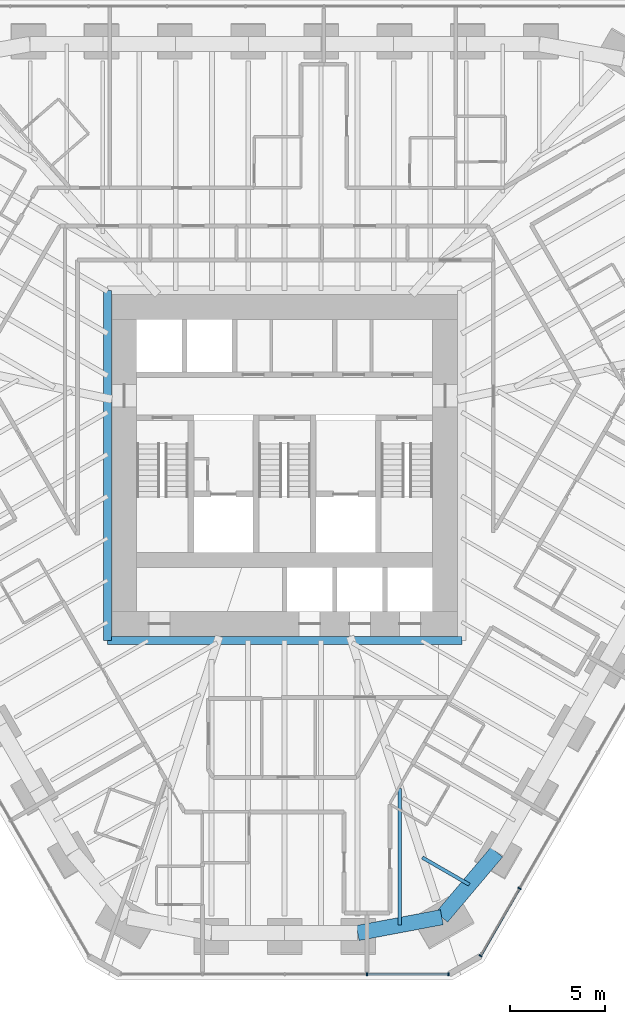
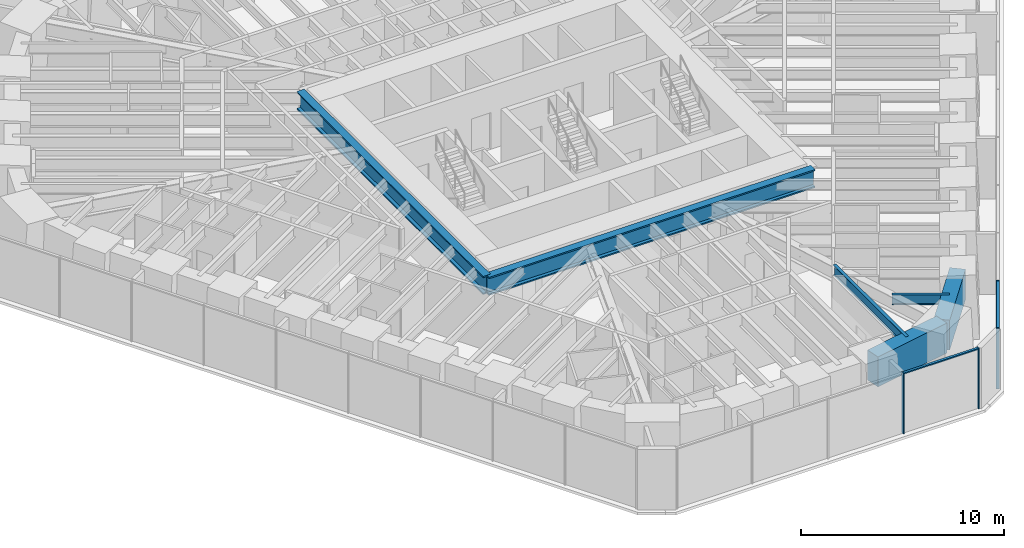
# One storey, part 4 of 17: 6 beams, 6 members, 2 elements without a shape of their own.
"""IFC4 building model written with IfcOpenShell, lengths in metres."""

from ifc_helpers import new_model, si_unit, direction, frame, origin, origin_2d, place, context, subcontext, project, spatial, rectangle, i_section, extrude, material, material_profile, profile_set, type_object, element, aggregate, save


model = new_model("IFC4")

# Units and contexts
model_context = context("Model", 3, precision=1e-05, world=origin(), true_north=direction((0.0, 1.0)))
body_context = subcontext(model_context, "Body", "Model", "MODEL_VIEW")
ifc_project = project(units=[si_unit("LENGTHUNIT", "METRE"), si_unit("AREAUNIT", "SQUARE_METRE"), si_unit("VOLUMEUNIT", "CUBIC_METRE"), si_unit("PLANEANGLEUNIT", "RADIAN"), si_unit("MASSUNIT", "GRAM", prefix="KILO")], contexts=[model_context])

# Site, building, storey
site_placement = place(None, origin())
site = spatial("IfcSite", under=ifc_project, at=site_placement, CompositionType="ELEMENT")
building_placement = place(site_placement, origin())
building = spatial("IfcBuilding", under=site, at=building_placement, Name="Sandreach Pilgrim Tower", CompositionType="ELEMENT")
storey_placement = place(building_placement, frame((0.0, 0.0, 161.39990234375)))
storey = spatial("IfcBuildingStorey", under=building, at=storey_placement, Name="L40", CompositionType="ELEMENT", Elevation=161.39990234375)

# Curtain wall, members
ifc_material_1 = material(Name="Aluminium framed curtain wall", Category="aluminium")
curtain_wall_type = type_object("IfcCurtainWallType", Name="Hotel tower curtain wall", PredefinedType="NOTDEFINED", material=ifc_material_1)
curtain_wall_1_placement = place(storey_placement, origin())
curtain_wall_1 = element("IfcCurtainWall", 1, at=curtain_wall_1_placement, inside=storey, type_object=curtain_wall_type, Name="CW-2 L40 SE", PredefinedType="NOTDEFINED")
ifc_material_2 = material(Name="Aluminium extrusion", Category="aluminium")
ifc_material_profile_1 = material_profile(ifc_material_2, rectangle(XDim=0.06494140625, YDim=0.179931640625, at=origin_2d()), Name="CW-2M 65X180")
ifc_profile_set_1 = profile_set([ifc_material_profile_1], Name="Aluminium extrusion")
member_type_1 = type_object("IfcMemberType", Name="CW-2 mullion", PredefinedType="MULLION", material=ifc_profile_set_1)
member_1_placement = place(storey_placement, frame((12.29296875, -23.695556640625, 0.0), z_axis=(0.0, 0.0, 1.0), x_axis=(-0.5, -0.866025403784, 0.0)))
member_1 = element("IfcMember", 2, at=member_1_placement, type_object=member_type_1, Name="CW-2 mullion 9", PredefinedType="MULLION", context=body_context, shape_type="SweptSolid", body=[
    extrude(rectangle(XDim=0.06494140625, YDim=0.179931640625, at=origin_2d()), origin(), (0.0, 0.0, 1.0), 3.64013671875),
])
member_2_placement = place(storey_placement, frame((10.255859375, -27.22412109375, 0.0), z_axis=(0.0, 0.0, 1.0), x_axis=(-0.5, -0.866025403784, 0.0)))
member_2 = element("IfcMember", 3, at=member_2_placement, type_object=member_type_1, Name="CW-2 mullion 10", PredefinedType="MULLION", context=body_context, shape_type="SweptSolid", body=[
    extrude(rectangle(XDim=0.06494140625, YDim=0.179931640625, at=origin_2d()), origin(), (0.0, 0.0, 1.0), 3.64013671875),
])

curtain_wall_2_placement = place(storey_placement, origin())
curtain_wall_2 = element("IfcCurtainWall", 4, at=curtain_wall_2_placement, inside=storey, type_object=curtain_wall_type, Name="CW-2 L40 S", PredefinedType="NOTDEFINED")
member_3_placement = place(storey_placement, frame((8.578857421875, -28.192138671875, 0.0), z_axis=(0.0, 0.0, 1.0), x_axis=(-1.0, 0.0, 0.0)))
member_3 = element("IfcMember", 5, at=member_3_placement, type_object=member_type_1, Name="CW-2 mullion 1", PredefinedType="MULLION", context=body_context, shape_type="SweptSolid", body=[
    extrude(rectangle(XDim=0.06494140625, YDim=0.179931640625, at=origin_2d()), origin(), (0.0, 0.0, 1.0), 3.64013671875),
])
member_4_placement = place(storey_placement, frame((4.3056640625, -28.192138671875, 0.0), z_axis=(0.0, 0.0, 1.0), x_axis=(-1.0, 0.0, 0.0)))
member_4 = element("IfcMember", 6, at=member_4_placement, type_object=member_type_1, Name="CW-2 mullion 2", PredefinedType="MULLION", context=body_context, shape_type="SweptSolid", body=[
    extrude(rectangle(XDim=0.06494140625, YDim=0.179931640625, at=origin_2d()), origin(), (0.0, 0.0, 1.0), 3.64013671875),
])

# Member
ifc_material_3 = material(Name="Aluminium extrusion", Category="aluminium")
ifc_material_profile_2 = material_profile(ifc_material_3, rectangle(XDim=0.139892578125, YDim=0.070068359375, at=origin_2d()), Name="CW-2T 140X70")
ifc_profile_set_2 = profile_set([ifc_material_profile_2], Name="Aluminium extrusion")
member_type_2 = type_object("IfcMemberType", Name="CW-2 transom", PredefinedType="USERDEFINED", material=ifc_profile_set_2)
member_5_placement = place(storey_placement, frame((12.27685546875, -23.7236328125, 3.60498046875), z_axis=(-0.500015851672, -0.866016251624, 0.0), x_axis=(0.866016251624, -0.500015851672, 0.0)))
member_5 = element("IfcMember", 7, at=member_5_placement, type_object=member_type_2, Name="CW-2 head transom 9", ObjectType="TRANSOM", PredefinedType="USERDEFINED", context=body_context, shape_type="SweptSolid", body=[
    extrude(rectangle(XDim=0.139892578125, YDim=0.070068359375, at=origin_2d()), origin(), (0.0, 0.0, 1.0), 4.009521484375),
])

aggregate(curtain_wall_1, [member_1, member_2, member_5])

member_6_placement = place(storey_placement, frame((8.54638671875, -28.192138671875, 3.60498046875), z_axis=(-1.0, 0.0, 0.0), x_axis=(0.0, -1.0, 0.0)))
member_6 = element("IfcMember", 8, at=member_6_placement, type_object=member_type_2, Name="CW-2 head transom 1", ObjectType="TRANSOM", PredefinedType="USERDEFINED", context=body_context, shape_type="SweptSolid", body=[
    extrude(rectangle(XDim=0.139892578125, YDim=0.070068359375, at=origin_2d()), origin(), (0.0, 0.0, 1.0), 4.208251953125),
])

aggregate(curtain_wall_2, [member_3, member_4, member_6])

# Beams
ifc_material_4 = material(Name="Steel ASTM A992 Grade 50", Category="steel")
ifc_material_profile_3 = material_profile(ifc_material_4, i_section(OverallWidth=0.424072265625, OverallDepth=1.09228515625, WebThickness=0.04541015625, FlangeThickness=0.08203125, at=origin_2d()), Name="W40X593")
ifc_profile_set_3 = profile_set([ifc_material_profile_3], Name="Steel ASTM A992 Grade 50")
beam_type_1 = type_object("IfcBeamType", Name="Core edge beam W40X593", PredefinedType="BEAM", material=ifc_profile_set_3)
beam_1_placement = place(storey_placement, frame((9.27197265625, -10.72216796875, 3.093994140625), z_axis=(-1.0, 0.0, 0.0), x_axis=(0.0, -1.0, 0.0)))
element("IfcBeam", 9, at=beam_1_placement, inside=storey, type_object=beam_type_1, Name="BM L40 CES", PredefinedType="BEAM", context=body_context, shape_type="SweptSolid", body=[
    extrude(i_section(OverallWidth=0.424072265625, OverallDepth=1.09228515625, WebThickness=0.04541015625, FlangeThickness=0.08203125, at=origin_2d()), origin(), (0.0, 0.0, 1.0), 18.5439453125),
])
beam_2_placement = place(storey_placement, frame((-9.27197265625, -10.72216796875, 3.093994140625), z_axis=(0.0, 1.0, 0.0), x_axis=(-1.0, 0.0, 0.0)))
element("IfcBeam", 10, at=beam_2_placement, inside=storey, type_object=beam_type_1, Name="BM L40 CEW", PredefinedType="BEAM", context=body_context, shape_type="SweptSolid", body=[
    extrude(i_section(OverallWidth=0.424072265625, OverallDepth=1.09228515625, WebThickness=0.04541015625, FlangeThickness=0.08203125, at=origin_2d()), origin(), (0.0, 0.0, 1.0), 18.34423828125),
])
ifc_material_5 = material(Name="Steel ASTM A992 Grade 50", Category="steel")
ifc_material_profile_4 = material_profile(ifc_material_5, i_section(OverallWidth=0.1787109375, OverallDepth=0.60205078125, WebThickness=0.010986328125, FlangeThickness=0.014892578125, at=origin_2d()), Name="W24X62")
ifc_profile_set_4 = profile_set([ifc_material_profile_4], Name="Steel ASTM A992 Grade 50")
beam_type_2 = type_object("IfcBeamType", Name="Floor beam W24X62", PredefinedType="BEAM", material=ifc_profile_set_4)
beam_3_placement = place(storey_placement, frame((9.666015625, -23.49951171875, 3.339111328125), z_axis=(-0.866022320763, 0.500005339912, 0.0), x_axis=(-0.500005339912, -0.866022320763, 0.0)))
element("IfcBeam", 11, at=beam_3_placement, inside=storey, type_object=beam_type_2, Name="BM L40 FM21", PredefinedType="BEAM", context=body_context, shape_type="SweptSolid", body=[
    extrude(i_section(OverallWidth=0.1787109375, OverallDepth=0.60205078125, WebThickness=0.010986328125, FlangeThickness=0.014892578125, at=origin_2d()), origin(), (0.0, 0.0, 1.0), 2.8388671875),
])
beam_4_placement = place(storey_placement, frame((6.025146484375, -25.61865234375, 3.339111328125), z_axis=(0.0, 1.0, 0.0), x_axis=(-1.0, 0.0, 0.0)))
element("IfcBeam", 12, at=beam_4_placement, inside=storey, type_object=beam_type_2, Name="BM L40 FM22", PredefinedType="BEAM", context=body_context, shape_type="SweptSolid", body=[
    extrude(i_section(OverallWidth=0.1787109375, OverallDepth=0.60205078125, WebThickness=0.010986328125, FlangeThickness=0.014892578125, at=origin_2d()), origin(), (0.0, 0.0, 1.0), 7.16064453125),
])
ifc_material_6 = material(Name="Concrete 10000 psi", Category="concrete")
ifc_material_profile_5 = material_profile(ifc_material_6, rectangle(XDim=0.800048828125, YDim=1.800048828125, at=origin_2d()), Name="RC800X1800")
ifc_profile_set_5 = profile_set([ifc_material_profile_5], Name="Concrete 10000 psi")
beam_type_3 = type_object("IfcBeamType", Name="Spandrel beam RC800X1800", PredefinedType="SPANDREL", material=ifc_profile_set_5)
beam_5_placement = place(storey_placement, frame((11.10498046875, -21.79541015625, 2.739990234375), z_axis=(-0.645166618316, -0.764041906319, 0.0), x_axis=(0.764041906319, -0.645166618316, 0.0)))
element("IfcBeam", 13, at=beam_5_placement, inside=storey, type_object=beam_type_3, Name="BM L40 SP21", PredefinedType="SPANDREL", context=body_context, shape_type="SweptSolid", body=[
    extrude(rectangle(XDim=0.800048828125, YDim=1.800048828125, at=origin_2d()), origin(), (0.0, 0.0, 1.0), 4.460693359375),
])
beam_6_placement = place(storey_placement, frame((8.22705078125, -25.20361328125, 2.739990234375), z_axis=(-0.982695347549, -0.185229192908, 0.0), x_axis=(0.185229192908, -0.982695347549, 0.0)))
element("IfcBeam", 14, at=beam_6_placement, inside=storey, type_object=beam_type_3, Name="BM L40 SP22", PredefinedType="SPANDREL", context=body_context, shape_type="SweptSolid", body=[
    extrude(rectangle(XDim=0.800048828125, YDim=1.800048828125, at=origin_2d()), origin(), (0.0, 0.0, 1.0), 4.4814453125),
])

save(model, "model.ifc")
